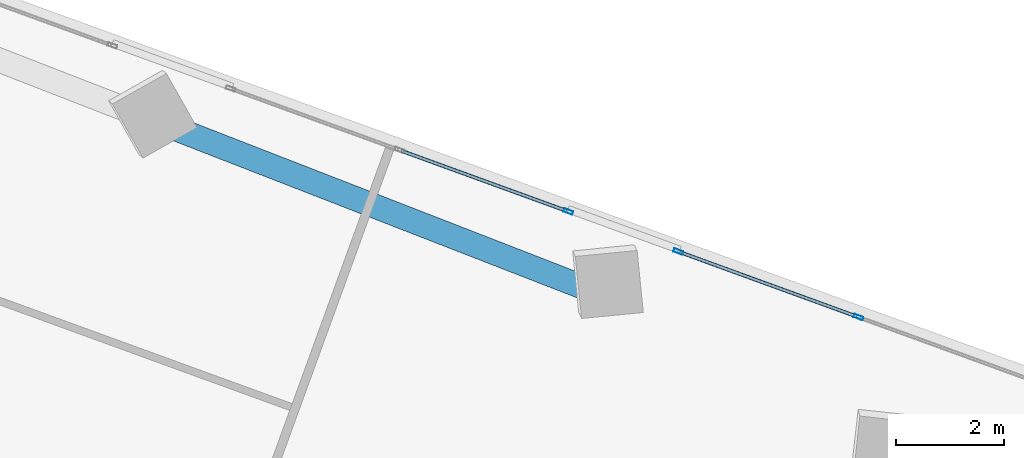
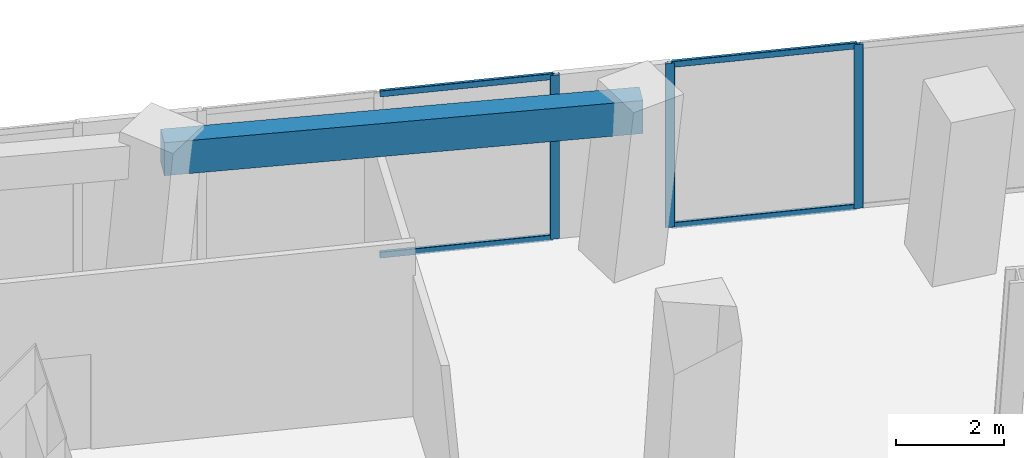
# One storey, part 10 of 21: 7 members, 1 beam, 2 elements without a shape of their own.
"""IFC4 building model written with IfcOpenShell, lengths in metres."""

import ifcopenshell
import ifcopenshell.guid

model = None  # the IFC model being written
_history = None  # IfcOwnerHistory: only IFC2X3 demands one
_inside = {}  # id of a spatial element -> (the spatial element, [elements in it])
_under = {}  # id of a project, library or spatial element -> (it, [spatial elements below it])
_declared = {}  # id of a project -> (the project, [libraries it declares])
_typed = {}  # id of a type object -> (the type object, [elements of that type])
_made_of = {}  # id of a material, layer set ... -> (it, [elements and type objects made of it])


def new_model(schema):
    """Start an empty IFC model of exactly this schema.

    Asked for "IFC4X3", IfcOpenShell would pick the latest addendum, in which some entities
    have other attributes; the version numbers below select the first issue.
    IFC2X3 requires an IfcOwnerHistory on every rooted entity: one is made here for all.
    """
    global model, _history
    if schema == "IFC4X3":
        model = ifcopenshell.file(schema_version=(4, 3, 0, 0))
    else:
        model = ifcopenshell.file(schema=schema)
    _inside.clear()
    _under.clear()
    _declared.clear()
    _typed.clear()
    _made_of.clear()
    _history = None
    if model.schema == "IFC2X3":
        org = make("IfcOrganization", Name="unknown")
        user = make(
            "IfcPersonAndOrganization",
            ThePerson=make("IfcPerson", FamilyName="unknown"),
            TheOrganization=org,
        )
        app = make(
            "IfcApplication",
            ApplicationDeveloper=org,
            Version="unknown",
            ApplicationFullName="unknown",
            ApplicationIdentifier="unknown",
        )
        _history = make(
            "IfcOwnerHistory",
            OwningUser=user,
            OwningApplication=app,
            ChangeAction="ADDED",
            CreationDate=0,
        )
    return model


def make(cls, **values):
    """One entity of the class cls with the attributes given. An attribute that is None is left unset."""
    return model.create_entity(
        cls, **{name: value for name, value in values.items() if value is not None}
    )


def rooted(cls, **values):
    """An entity with a GlobalId (a new one), such as an element, a storey or a relation."""
    return make(cls, GlobalId=ifcopenshell.guid.new(), OwnerHistory=_history, **values)


def si_unit(unit_type, name, prefix=None):
    """IfcSIUnit, for example si_unit("LENGTHUNIT", "METRE", prefix="MILLI")."""
    return make("IfcSIUnit", UnitType=unit_type, Prefix=prefix, Name=name)


def assignment(units):
    """IfcUnitAssignment: the units of a project."""
    return None if units is None else make("IfcUnitAssignment", Units=units)


def point(xyz):
    """IfcCartesianPoint."""
    return None if xyz is None else make("IfcCartesianPoint", Coordinates=xyz)


def direction(xyz):
    """IfcDirection."""
    return None if xyz is None else make("IfcDirection", DirectionRatios=xyz)


def frame(location, z_axis=None, x_axis=None):
    """IfcAxis2Placement3D, a coordinate frame: its origin and axes. An axis left out is left unset."""
    return make(
        "IfcAxis2Placement3D",
        Location=point(location),
        Axis=direction(z_axis),
        RefDirection=direction(x_axis),
    )


def frame_2d(location, x_axis=None):
    """IfcAxis2Placement2D, a coordinate frame in the plane: its origin and x axis."""
    return make(
        "IfcAxis2Placement2D", Location=point(location), RefDirection=direction(x_axis)
    )


def origin():
    """The frame at (0, 0, 0) with its axes left unset."""
    return frame((0.0, 0.0, 0.0))


def origin_2d():
    """The frame at (0, 0) in the plane with its x axis left unset."""
    return frame_2d((0.0, 0.0))


def place(relative_to, where):
    """IfcLocalPlacement: puts the frame where relative to a parent placement (None: the world)."""
    return make(
        "IfcLocalPlacement", PlacementRelTo=relative_to, RelativePlacement=where
    )


def context(
    kind, dimensions, precision=None, world=None, true_north=None, identifier=None
):
    """IfcGeometricRepresentationContext, for example the 3D "Model" context."""
    return make(
        "IfcGeometricRepresentationContext",
        ContextIdentifier=identifier,
        ContextType=kind,
        CoordinateSpaceDimension=dimensions,
        Precision=precision,
        WorldCoordinateSystem=world,
        TrueNorth=true_north,
    )


def subcontext(parent, identifier, kind, view, scale=None):
    """IfcGeometricRepresentationSubContext, for example "Body" below "Model"."""
    return make(
        "IfcGeometricRepresentationSubContext",
        ContextIdentifier=identifier,
        ContextType=kind,
        ParentContext=parent,
        TargetScale=scale,
        TargetView=view,
    )


def project(units=None, contexts=None):
    """IfcProject with its units and contexts."""
    return rooted(
        "IfcProject",
        Name="project",
        RepresentationContexts=contexts,
        UnitsInContext=assignment(units),
    )


def spatial(cls, under=None, at=None, **own):
    """A site, building, storey or space (cls), placed at a placement, below another one or the project."""
    s = rooted(cls, ObjectPlacement=at, **own)
    if under is not None:
        _under.setdefault(under.id(), (under, []))[1].append(s)
    return s


def profile(cls, at=None, kind="AREA", **sizes):
    """A parametric profile (cls). Its sizes go by their IFC names, for example OverallWidth=200.0."""
    return make(cls, ProfileType=kind, Position=at, **sizes)


def rectangle(**sizes):
    """IfcRectangleProfileDef."""
    return profile("IfcRectangleProfileDef", **sizes)


def hollow_rectangle(**sizes):
    """IfcRectangleHollowProfileDef."""
    return profile("IfcRectangleHollowProfileDef", **sizes)


def extrude(swept, where, along, depth):
    """IfcExtrudedAreaSolid: the profile swept, set in the frame where, extruded along a direction by depth."""
    return make(
        "IfcExtrudedAreaSolid",
        SweptArea=swept,
        Position=where,
        ExtrudedDirection=direction(along),
        Depth=depth,
    )


def shape(context_of_items, identifier, shape_type, items):
    """IfcShapeRepresentation: the items that make up one representation, for example the "Body"."""
    return make(
        "IfcShapeRepresentation",
        ContextOfItems=context_of_items,
        RepresentationIdentifier=identifier,
        RepresentationType=shape_type,
        Items=items,
    )


def source(mapping_origin, context_of_items, identifier, shape_type, items):
    """IfcRepresentationMap: a shape defined once, which mapped items show again and again."""
    return make(
        "IfcRepresentationMap",
        MappingOrigin=mapping_origin,
        MappedRepresentation=shape(context_of_items, identifier, shape_type, items),
    )


def transform(
    local_origin,
    x_axis=None,
    y_axis=None,
    z_axis=None,
    scale=None,
    scale2=None,
    scale3=None,
    uniform=True,
):
    """IfcCartesianTransformationOperator3D, or its non-uniform kind. x_axis, y_axis, z_axis: its Axis1, 2, 3."""
    if uniform:
        return make(
            "IfcCartesianTransformationOperator3D",
            Axis1=direction(x_axis),
            Axis2=direction(y_axis),
            LocalOrigin=point(local_origin),
            Scale=scale,
            Axis3=direction(z_axis),
        )
    return make(
        "IfcCartesianTransformationOperator3DnonUniform",
        Axis1=direction(x_axis),
        Axis2=direction(y_axis),
        LocalOrigin=point(local_origin),
        Scale=scale,
        Axis3=direction(z_axis),
        Scale2=scale2,
        Scale3=scale3,
    )


def mapped(mapping_source, mapping_target):
    """IfcMappedItem: shows the shape of a source again, moved by a transform."""
    return make(
        "IfcMappedItem", MappingSource=mapping_source, MappingTarget=mapping_target
    )


def material(Name=None, Category=None):
    """IfcMaterial."""
    return make("IfcMaterial", Name=Name, Category=Category)


def material_profile(
    of_material, cross_section, Name=None, Category=None, Priority=None
):
    """IfcMaterialProfile: a cross section and its material."""
    return make(
        "IfcMaterialProfile",
        Name=Name,
        Material=of_material,
        Profile=cross_section,
        Priority=Priority,
        Category=Category,
    )


def profile_set(profiles, Name=None, composite=None):
    """IfcMaterialProfileSet."""
    return make(
        "IfcMaterialProfileSet",
        Name=Name,
        MaterialProfiles=profiles,
        CompositeProfile=composite,
    )


def made_of(thing, what):
    """Note that an element or type object is made of a material, layer set ...; save() writes the relation."""
    if what is not None:
        _made_of.setdefault(what.id(), (what, []))[1].append(thing)
    return thing


def type_object(cls, material=None, **own):
    """A type object (cls), such as IfcWallType, which elements share."""
    return made_of(rooted(cls, **own), material)


def element(
    cls,
    number,
    at=None,
    inside=None,
    cuts=None,
    type_object=None,
    material=None,
    context=None,
    identifier="Body",
    shape_type=None,
    held_by="IfcProductDefinitionShape",
    body=None,
    shapes=None,
    **own,
):
    """One element of the class cls, such as IfcWall. Its Tag is "e" and its number.

    at: its placement. inside: the storey or other place that contains it. cuts: it is an
    opening in that element (IfcRelVoidsElement). A single representation is given by context,
    identifier, shape_type and body (its items); several are given by shapes. held_by: the class
    of the entity that holds the representations. save() writes the other relations.
    """
    e = rooted(cls, Tag="e%d" % number, ObjectPlacement=at, **own)
    if body is not None:
        shapes = [shape(context, identifier, shape_type, body)]
    if shapes is not None:
        e.Representation = make(held_by, Representations=shapes)
    if inside is not None:
        _inside.setdefault(inside.id(), (inside, []))[1].append(e)
    if cuts is not None:
        rooted(
            "IfcRelVoidsElement", RelatingBuildingElement=cuts, RelatedOpeningElement=e
        )
    if type_object is not None:
        _typed.setdefault(type_object.id(), (type_object, []))[1].append(e)
    return made_of(e, material)


def aggregate(whole, parts):
    """IfcRelAggregates: a whole, such as a stair, and the parts it consists of."""
    return rooted("IfcRelAggregates", RelatingObject=whole, RelatedObjects=parts)


def save(model, path):
    """Write the relations noted so far, then the file.

    IfcRelAggregates (storeys below a building ...), IfcRelContainedInSpatialStructure (elements
    in a storey), IfcRelDefinesByType, IfcRelAssociatesMaterial and IfcRelDeclares: one each for
    every whole, place, type object, material and project.
    """
    for whole, parts in _under.values():
        aggregate(whole, parts)
    for where, things in _inside.values():
        rooted(
            "IfcRelContainedInSpatialStructure",
            RelatedElements=things,
            RelatingStructure=where,
        )
    for kind, things in _typed.values():
        rooted("IfcRelDefinesByType", RelatedObjects=things, RelatingType=kind)
    for what, things in _made_of.values():
        rooted("IfcRelAssociatesMaterial", RelatedObjects=things, RelatingMaterial=what)
    for by, libraries in _declared.values():
        rooted("IfcRelDeclares", RelatingContext=by, RelatedDefinitions=libraries)
    model.write(path)


model = new_model("IFC4")

# Units and contexts
model_context = context("Model", 3, precision=1e-05, world=origin(), true_north=direction((0.0, 1.0)))
body_context = subcontext(model_context, "Body", "Model", "MODEL_VIEW")
ifc_project = project(units=[si_unit("LENGTHUNIT", "METRE"), si_unit("AREAUNIT", "SQUARE_METRE"), si_unit("VOLUMEUNIT", "CUBIC_METRE"), si_unit("PLANEANGLEUNIT", "RADIAN"), si_unit("MASSUNIT", "GRAM", prefix="KILO")], contexts=[model_context])

# Site, building, storey
site_placement = place(None, origin())
site = spatial("IfcSite", under=ifc_project, at=site_placement, CompositionType="ELEMENT")
building_placement = place(site_placement, origin())
building = spatial("IfcBuilding", under=site, at=building_placement, Name="Torre Montelarca", CompositionType="ELEMENT")
storey_placement = place(building_placement, frame((0.0, 0.0, 133.0)))
storey = spatial("IfcBuildingStorey", under=building, at=storey_placement, Name="L29", CompositionType="ELEMENT", Elevation=133.0)

# Beam
ifc_material_1 = material(Name="Concrete C55/67", Category="concrete")
ifc_material_profile_1 = material_profile(ifc_material_1, rectangle(XDim=0.449951171875, YDim=0.75, at=origin_2d()), Name="RCB450X750", Category="concrete")
ifc_profile_set_1 = profile_set([ifc_material_profile_1], Name="Concrete C55/67")
beam_type = type_object("IfcBeamType", Name="BM-SP-RC750-EXT", PredefinedType="SPANDREL", material=ifc_profile_set_1)
shared_shape_1 = source(origin(), body_context, "Body", "SweptSolid", [
    extrude(rectangle(XDim=0.449951171875, YDim=0.75, at=origin_2d()), origin(), (0.0, 0.0, 1.0), 9.0),
])
beam_placement = place(storey_placement, frame((32.116943359375, 44.12646484375, 3.5849609375), z_axis=(0.932008744078, -0.362435788743, 0.0), x_axis=(0.362435788743, 0.932008744078, 0.0)))
element("IfcBeam", 1, at=beam_placement, inside=storey, type_object=beam_type, Name="L29 Grid Girder X 27.0-36.0 at Y=47.1", PredefinedType="SPANDREL", context=body_context, shape_type="MappedRepresentation", body=[
    mapped(shared_shape_1, transform((0.0, 0.0, 0.0), scale=1.0)),
])

# Curtain wall, members
ifc_material_2 = material(Name="Insulated low-E laminated glass", Category="glass")
curtain_wall_type = type_object("IfcCurtainWallType", Name="CW-SYS-Z2", PredefinedType="USERDEFINED", material=ifc_material_2)
curtain_wall_1_placement = place(storey_placement, origin())
curtain_wall_1 = element("IfcCurtainWall", 2, at=curtain_wall_1_placement, inside=storey, type_object=curtain_wall_type, Name="L29 Curtain Wall Run CW-T3-L29-E08-B1", ObjectType="UNITISED GLAZING", PredefinedType="USERDEFINED")
ifc_material_3 = material(Name="Anodised aluminium AA 6063-T6", Category="aluminium")
ifc_material_profile_2 = material_profile(ifc_material_3, hollow_rectangle(XDim=0.06494140625, YDim=0.179931640625, WallThickness=0.00390625, InnerFilletRadius=0.00390625, OuterFilletRadius=0.008056640625, at=origin_2d()), Name="ALU65X180X4", Category="aluminium")
ifc_profile_set_2 = profile_set([ifc_material_profile_2], Name="Anodised aluminium AA 6063-T6")
member_type_1 = type_object("IfcMemberType", Name="CWM-ALU180", PredefinedType="MULLION", material=ifc_profile_set_2)
shared_shape_2 = source(origin(), body_context, "Body", "SweptSolid", [
    extrude(hollow_rectangle(XDim=0.06494140625, YDim=0.179931640625, WallThickness=0.00390625, InnerFilletRadius=0.00390625, OuterFilletRadius=0.008056640625, at=origin_2d()), origin(), (0.0, 0.0, 1.0), 3.719970703125),
])
member_1_placement = place(storey_placement, frame((44.986083984375, 40.552978515625, 0.0), z_axis=(0.0, 0.0, 1.0), x_axis=(-0.342018176041, -0.939693336817, 0.0)))
member_1 = element("IfcMember", 3, at=member_1_placement, type_object=member_type_1, Name="CW mullion 2", PredefinedType="MULLION", context=body_context, shape_type="MappedRepresentation", body=[
    mapped(shared_shape_2, transform((0.0, 0.0, 0.0), scale=1.0)),
])
member_2_placement = place(storey_placement, frame((41.6435546875, 41.769775390625, 0.0), z_axis=(0.0, 0.0, 1.0), x_axis=(-0.342018176041, -0.939693336817, 0.0)))
member_2 = element("IfcMember", 4, at=member_2_placement, type_object=member_type_1, Name="CW mullion 3", PredefinedType="MULLION", context=body_context, shape_type="MappedRepresentation", body=[
    mapped(shared_shape_2, transform((0.0, 0.0, 0.0), scale=1.0)),
])

# Curtain wall, member
curtain_wall_2_placement = place(storey_placement, origin())
curtain_wall_2 = element("IfcCurtainWall", 5, at=curtain_wall_2_placement, inside=storey, type_object=curtain_wall_type, Name="L29 Curtain Wall Run CW-T3-L29-E08-B2", ObjectType="UNITISED GLAZING", PredefinedType="USERDEFINED")
member_3_placement = place(storey_placement, frame((39.599853515625, 42.513427734375, 0.0), z_axis=(0.0, 0.0, 1.0), x_axis=(-0.342017637326, -0.939693532892, 0.0)))
member_3 = element("IfcMember", 6, at=member_3_placement, type_object=member_type_1, Name="CW mullion 1", PredefinedType="MULLION", context=body_context, shape_type="MappedRepresentation", body=[
    mapped(shared_shape_2, transform((0.0, 0.0, 0.0), scale=1.0)),
])

# Member
ifc_material_profile_3 = material_profile(ifc_material_3, hollow_rectangle(XDim=0.06494140625, YDim=0.139892578125, WallThickness=0.00390625, InnerFilletRadius=0.00390625, OuterFilletRadius=0.008056640625, at=origin_2d()), Name="ALU65X140X4", Category="aluminium")
ifc_profile_set_3 = profile_set([ifc_material_profile_3], Name="Anodised aluminium AA 6063-T6")
member_type_2 = type_object("IfcMemberType", Name="CWT-ALU140", PredefinedType="USERDEFINED", material=ifc_profile_set_3)
shared_shape_3 = source(origin(), body_context, "Body", "SweptSolid", [
    extrude(hollow_rectangle(XDim=0.06494140625, YDim=0.139892578125, WallThickness=0.00390625, InnerFilletRadius=0.00390625, OuterFilletRadius=0.008056640625, at=origin_2d()), origin(), (0.0, 0.0, 1.0), 3.4921875),
])
member_4_placement = place(storey_placement, frame((44.95556640625, 40.564208984375, 0.032470703125), z_axis=(-0.939695405145, 0.342012493265, 0.0), x_axis=(-0.342012493265, -0.939695405145, 0.0)))
member_4 = element("IfcMember", 7, at=member_4_placement, type_object=member_type_2, Name="CW transom 2.1", ObjectType="TRANSOM", PredefinedType="USERDEFINED", context=body_context, shape_type="MappedRepresentation", body=[
    mapped(shared_shape_3, transform((0.0, 0.0, 0.0), scale=1.0)),
])

member_5_placement = place(storey_placement, frame((44.95556640625, 40.564208984375, 3.6875), z_axis=(-0.939695405145, 0.342012493265, 0.0), x_axis=(-0.342012493265, -0.939695405145, 0.0)))
member_5 = element("IfcMember", 8, at=member_5_placement, type_object=member_type_2, Name="CW transom 2.2", ObjectType="TRANSOM", PredefinedType="USERDEFINED", context=body_context, shape_type="MappedRepresentation", body=[
    mapped(shared_shape_3, transform((0.0, 0.0, 0.0), scale=1.0)),
])

aggregate(curtain_wall_1, [member_1, member_2, member_4, member_5])

shared_shape_4 = source(origin(), body_context, "Body", "SweptSolid", [
    extrude(hollow_rectangle(XDim=0.06494140625, YDim=0.139892578125, WallThickness=0.00390625, InnerFilletRadius=0.00390625, OuterFilletRadius=0.008056640625, at=origin_2d()), origin(), (0.0, 0.0, 1.0), 3.26513671875),
])
member_6_placement = place(storey_placement, frame((39.5693359375, 42.524658203125, 0.032470703125), z_axis=(-0.939701701652, 0.34199519282, 0.0), x_axis=(-0.34199519282, -0.939701701652, 0.0)))
member_6 = element("IfcMember", 9, at=member_6_placement, type_object=member_type_2, Name="CW transom 1.1", ObjectType="TRANSOM", PredefinedType="USERDEFINED", context=body_context, shape_type="MappedRepresentation", body=[
    mapped(shared_shape_4, transform((0.0, 0.0, 0.0), scale=1.0)),
])

member_7_placement = place(storey_placement, frame((39.5693359375, 42.524658203125, 3.6875), z_axis=(-0.939701701652, 0.34199519282, 0.0), x_axis=(-0.34199519282, -0.939701701652, 0.0)))
member_7 = element("IfcMember", 10, at=member_7_placement, type_object=member_type_2, Name="CW transom 1.2", ObjectType="TRANSOM", PredefinedType="USERDEFINED", context=body_context, shape_type="MappedRepresentation", body=[
    mapped(shared_shape_4, transform((0.0, 0.0, 0.0), scale=1.0)),
])

aggregate(curtain_wall_2, [member_3, member_6, member_7])

save(model, "model.ifc")
